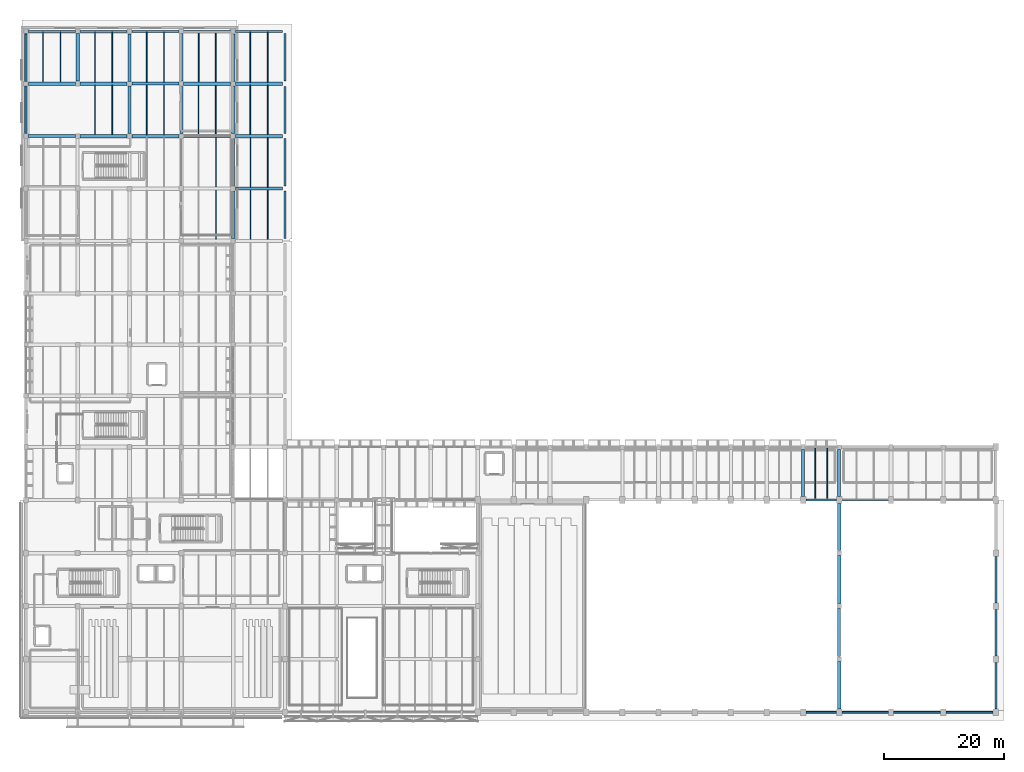
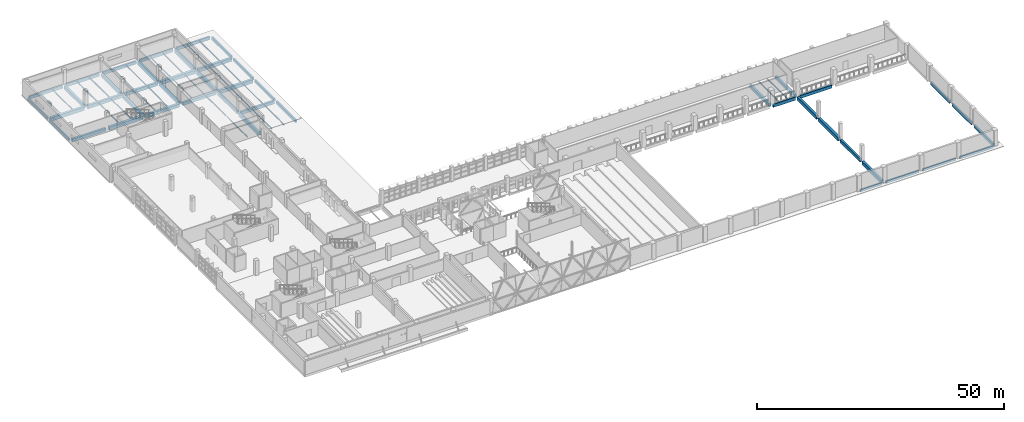
# One storey, part 46 of 80: 72 beams.
"""IFC4 building model written with IfcOpenShell, lengths in metres."""

from ifc_helpers import new_model, si_unit, direction, frame, origin, origin_2d, place, context, subcontext, project, spatial, rectangle, i_section, extrude, material, material_profile, profile_set, type_object, element, save


model = new_model("IFC4")

# Units and contexts
model_context = context("Model", 3, precision=1e-05, world=origin(), true_north=direction((0.0, 1.0)))
body_context = subcontext(model_context, "Body", "Model", "MODEL_VIEW")
ifc_project = project(units=[si_unit("LENGTHUNIT", "METRE"), si_unit("AREAUNIT", "SQUARE_METRE"), si_unit("VOLUMEUNIT", "CUBIC_METRE"), si_unit("PLANEANGLEUNIT", "RADIAN"), si_unit("MASSUNIT", "GRAM", prefix="KILO")], contexts=[model_context])

# Site, building, storey
site_placement = place(None, origin())
site = spatial("IfcSite", under=ifc_project, at=site_placement, CompositionType="ELEMENT")
building_placement = place(site_placement, origin())
building = spatial("IfcBuilding", under=site, at=building_placement, Name="Varnakota Cinema and Media Centre", CompositionType="ELEMENT")
storey_placement = place(building_placement, frame((0.0, 0.0, 4.5)))
storey = spatial("IfcBuildingStorey", under=building, at=storey_placement, Name="L01", CompositionType="ELEMENT", Elevation=4.5)

# Beams
ifc_material_1 = material(Name="Concrete M35", Category="concrete")
ifc_material_profile_1 = material_profile(ifc_material_1, rectangle(XDim=0.5, YDim=0.75, at=origin_2d()), Name="RCB 500x750")
ifc_profile_set_1 = profile_set([ifc_material_profile_1], Name="Concrete M35")
beam_type_1 = type_object("IfcBeamType", Name="BM-RC-500x750", PredefinedType="BEAM", material=ifc_profile_set_1)
for number, where, z_axis, x_axis, name in (
    (1, (34.800048828125, 86.89990234375, -0.625), (1.0, 0.0, 0.0), (0.0, 1.0, 0.0), "L01 girder E-F/11"),
    (2, (0.375, 95.60009765625, -0.625), (1.0, 0.0, 0.0), (0.0, 1.0, 0.0), "L01 girder A-B/12"),
    (3, (26.199951171875, 95.60009765625, -0.625), (1.0, 0.0, 0.0), (0.0, 1.0, 0.0), "L01 girder D-E/12"),
    (4, (17.60009765625, 104.300048828125, -0.625), (1.0, 0.0, 0.0), (0.0, 1.0, 0.0), "L01 girder C-D/13"),
):
    element("IfcBeam", number, at=place(storey_placement, frame(where, z_axis=z_axis, x_axis=x_axis)), inside=storey, type_object=beam_type_1, Name=name, PredefinedType="BEAM", context=body_context, shape_type="SweptSolid", body=[
        extrude(rectangle(XDim=0.5, YDim=0.75, at=origin_2d()), origin(), (0.0, 0.0, 1.0), 7.824951171875),
    ])
for number, where, z_axis, x_axis, name in (
    (5, (17.199951171875, 104.699951171875, -0.625), (0.0, 1.0, 0.0), (-1.0, 0.0, 0.0), "L01 girder C/13-14"),
    (6, (25.800048828125, 96.0, -0.625), (0.0, 1.0, 0.0), (-1.0, 0.0, 0.0), "L01 girder D/12-13"),
    (7, (34.39990234375, 87.300048828125, -0.625), (0.0, 1.0, 0.0), (-1.0, 0.0, 0.0), "L01 girder E/11-12"),
):
    element("IfcBeam", number, at=place(storey_placement, frame(where, z_axis=z_axis, x_axis=x_axis)), inside=storey, type_object=beam_type_1, Name=name, PredefinedType="BEAM", context=body_context, shape_type="SweptSolid", body=[
        extrude(rectangle(XDim=0.5, YDim=0.75, at=origin_2d()), origin(), (0.0, 0.0, 1.0), 7.875),
    ])
beam_1_placement = place(storey_placement, frame((135.0, 9.199951171875, -0.375), z_axis=(0.0, 1.0, 0.0), x_axis=(-1.0, 0.0, 0.0)))
element("IfcBeam", 8, at=beam_1_placement, inside=storey, type_object=beam_type_1, Name="L01 girder V/2-3", PredefinedType="BEAM", context=body_context, shape_type="SweptSolid", body=[
    extrude(rectangle(XDim=0.5, YDim=0.75, at=origin_2d()), origin(), (0.0, 0.0, 1.0), 7.97509765625),
])
beam_2_placement = place(storey_placement, frame((135.0, 35.75, -0.625), z_axis=(0.0, 1.0, 0.0), x_axis=(-1.0, 0.0, 0.0)))
element("IfcBeam", 9, at=beam_2_placement, inside=storey, type_object=beam_type_1, Name="L01 girder V/5-6", PredefinedType="BEAM", context=body_context, shape_type="SweptSolid", body=[
    extrude(rectangle(XDim=0.5, YDim=0.75, at=origin_2d()), origin(), (0.0, 0.0, 1.0), 7.85009765625),
])
ifc_material_2 = material(Name="Concrete M35", Category="concrete")
ifc_material_profile_2 = material_profile(ifc_material_2, rectangle(XDim=0.550048828125, YDim=0.800048828125, at=origin_2d()), Name="RCB 550x800")
ifc_profile_set_2 = profile_set([ifc_material_profile_2], Name="Concrete M35")
beam_type_2 = type_object("IfcBeamType", Name="BM-RC-550x800", PredefinedType="BEAM", material=ifc_profile_set_2)
for number, where, z_axis, x_axis, name in (
    (10, (17.574951171875, 95.60009765625, -0.64990234375), (1.0, 0.0, 0.0), (0.0, 1.0, 0.0), "L01 girder C-D/12"),
    (11, (8.97509765625, 104.300048828125, -0.64990234375), (1.0, 0.0, 0.0), (0.0, 1.0, 0.0), "L01 girder B-C/13"),
    (12, (34.800048828125, 104.300048828125, -0.64990234375), (1.0, 0.0, 0.0), (0.0, 1.0, 0.0), "L01 girder E-F/13"),
):
    element("IfcBeam", number, at=place(storey_placement, frame(where, z_axis=z_axis, x_axis=x_axis)), inside=storey, type_object=beam_type_2, Name=name, PredefinedType="BEAM", context=body_context, shape_type="SweptSolid", body=[
        extrude(rectangle(XDim=0.550048828125, YDim=0.800048828125, at=origin_2d()), origin(), (0.0, 0.0, 1.0), 7.824951171875),
    ])
for number, where, z_axis, x_axis, name in (
    (13, (8.60009765625, 104.72509765625, -0.64990234375), (0.0, 1.0, 0.0), (-1.0, 0.0, 0.0), "L01 girder B/13-14"),
    (14, (17.199951171875, 96.02490234375, -0.64990234375), (0.0, 1.0, 0.0), (-1.0, 0.0, 0.0), "L01 girder C/12-13"),
    (15, (34.39990234375, 78.625, -0.64990234375), (0.0, 1.0, 0.0), (-1.0, 0.0, 0.0), "L01 girder E/10-11"),
    (16, (34.39990234375, 104.699951171875, -0.64990234375), (0.0, 1.0, 0.0), (-1.0, 0.0, 0.0), "L01 girder E/13-14"),
):
    element("IfcBeam", number, at=place(storey_placement, frame(where, z_axis=z_axis, x_axis=x_axis)), inside=storey, type_object=beam_type_2, Name=name, PredefinedType="BEAM", context=body_context, shape_type="SweptSolid", body=[
        extrude(rectangle(XDim=0.550048828125, YDim=0.800048828125, at=origin_2d()), origin(), (0.0, 0.0, 1.0), 7.875),
    ])
beam_3_placement = place(storey_placement, frame((129.0, 35.75, -0.64990234375), z_axis=(0.0, 1.0, 0.0), x_axis=(-1.0, 0.0, 0.0)))
element("IfcBeam", 17, at=beam_3_placement, inside=storey, type_object=beam_type_2, Name="L01 girder U/5-6", PredefinedType="BEAM", context=body_context, shape_type="SweptSolid", body=[
    extrude(rectangle(XDim=0.550048828125, YDim=0.800048828125, at=origin_2d()), origin(), (0.0, 0.0, 1.0), 7.824951171875),
])
for number, where, z_axis, x_axis, name in (
    (18, (135.0, 0.550048828125, -0.39990234375), (0.0, 1.0, 0.0), (-1.0, 0.0, 0.0), "L01 girder V/1-2"),
    (19, (135.0, 26.800048828125, -0.39990234375), (0.0, 1.0, 0.0), (-1.0, 0.0, 0.0), "L01 girder V/4-5"),
):
    element("IfcBeam", number, at=place(storey_placement, frame(where, z_axis=z_axis, x_axis=x_axis)), inside=storey, type_object=beam_type_2, Name=name, PredefinedType="BEAM", context=body_context, shape_type="SweptSolid", body=[
        extrude(rectangle(XDim=0.550048828125, YDim=0.800048828125, at=origin_2d()), origin(), (0.0, 0.0, 1.0), 7.849853515625),
    ])
ifc_material_3 = material(Name="Concrete M35", Category="concrete")
ifc_material_profile_3 = material_profile(ifc_material_3, rectangle(XDim=0.60009765625, YDim=0.85009765625, at=origin_2d()), Name="RCB 600x850")
ifc_profile_set_3 = profile_set([ifc_material_profile_3], Name="Concrete M35")
beam_type_3 = type_object("IfcBeamType", Name="BM-RC-600x850", PredefinedType="BEAM", material=ifc_profile_set_3)
beam_4_placement = place(storey_placement, frame((9.0, 95.60009765625, -0.675048828125), z_axis=(1.0, 0.0, 0.0), x_axis=(0.0, 1.0, 0.0)))
element("IfcBeam", 20, at=beam_4_placement, inside=storey, type_object=beam_type_3, Name="L01 girder B-C/12", PredefinedType="BEAM", context=body_context, shape_type="SweptSolid", body=[
    extrude(rectangle(XDim=0.60009765625, YDim=0.85009765625, at=origin_2d()), origin(), (0.0, 0.0, 1.0), 7.824951171875),
])
for number, where, z_axis, x_axis, name in (
    (21, (34.77490234375, 95.60009765625, -0.675048828125), (1.0, 0.0, 0.0), (0.0, 1.0, 0.0), "L01 girder E-F/12"),
    (22, (0.39990234375, 104.300048828125, -0.675048828125), (1.0, 0.0, 0.0), (0.0, 1.0, 0.0), "L01 girder A-B/13"),
):
    element("IfcBeam", number, at=place(storey_placement, frame(where, z_axis=z_axis, x_axis=x_axis)), inside=storey, type_object=beam_type_3, Name=name, PredefinedType="BEAM", context=body_context, shape_type="SweptSolid", body=[
        extrude(rectangle(XDim=0.60009765625, YDim=0.85009765625, at=origin_2d()), origin(), (0.0, 0.0, 1.0), 7.8251953125),
    ])
beam_5_placement = place(storey_placement, frame((26.175048828125, 104.300048828125, -0.675048828125), z_axis=(1.0, 0.0, 0.0), x_axis=(0.0, 1.0, 0.0)))
element("IfcBeam", 23, at=beam_5_placement, inside=storey, type_object=beam_type_3, Name="L01 girder D-E/13", PredefinedType="BEAM", context=body_context, shape_type="SweptSolid", body=[
    extrude(rectangle(XDim=0.60009765625, YDim=0.85009765625, at=origin_2d()), origin(), (0.0, 0.0, 1.0), 7.824951171875),
])
for number, where, z_axis, x_axis, name in (
    (24, (25.800048828125, 104.72509765625, -0.675048828125), (0.0, 1.0, 0.0), (-1.0, 0.0, 0.0), "L01 girder D/13-14"),
    (25, (34.39990234375, 96.02490234375, -0.675048828125), (0.0, 1.0, 0.0), (-1.0, 0.0, 0.0), "L01 girder E/12-13"),
):
    element("IfcBeam", number, at=place(storey_placement, frame(where, z_axis=z_axis, x_axis=x_axis)), inside=storey, type_object=beam_type_3, Name=name, PredefinedType="BEAM", context=body_context, shape_type="SweptSolid", body=[
        extrude(rectangle(XDim=0.60009765625, YDim=0.85009765625, at=origin_2d()), origin(), (0.0, 0.0, 1.0), 7.875),
    ])
beam_6_placement = place(storey_placement, frame((135.0, 18.02490234375, -0.425048828125), z_axis=(0.0, 1.0, 0.0), x_axis=(-1.0, 0.0, 0.0)))
element("IfcBeam", 26, at=beam_6_placement, inside=storey, type_object=beam_type_3, Name="L01 girder V/3-4", PredefinedType="BEAM", context=body_context, shape_type="SweptSolid", body=[
    extrude(rectangle(XDim=0.60009765625, YDim=0.85009765625, at=origin_2d()), origin(), (0.0, 0.0, 1.0), 7.97509765625),
])
ifc_material_4 = material(Name="Concrete M35", Category="concrete")
ifc_material_profile_4 = material_profile(ifc_material_4, rectangle(XDim=0.300048828125, YDim=0.60009765625, at=origin_2d()), Name="RCB 300x600")
ifc_profile_set_4 = profile_set([ifc_material_profile_4], Name="Concrete M35")
beam_type_4 = type_object("IfcBeamType", Name="BM-SP-300x600", PredefinedType="SPANDREL", material=ifc_profile_set_4)
beam_7_placement = place(storey_placement, frame((129.449951171875, 0.0, -0.300048828125), z_axis=(1.0, 0.0, 0.0), x_axis=(0.0, 1.0, 0.0)))
element("IfcBeam", 27, at=beam_7_placement, inside=storey, type_object=beam_type_4, Name="L01 girder U-V/1", PredefinedType="SPANDREL", context=body_context, shape_type="SweptSolid", body=[
    extrude(rectangle(XDim=0.300048828125, YDim=0.60009765625, at=origin_2d()), origin(), (0.0, 0.0, 1.0), 5.10009765625),
])
beam_8_placement = place(storey_placement, frame((135.449951171875, 0.0, -0.300048828125), z_axis=(1.0, 0.0, 0.0), x_axis=(0.0, 1.0, 0.0)))
element("IfcBeam", 28, at=beam_8_placement, inside=storey, type_object=beam_type_4, Name="L01 girder V-W/1", PredefinedType="SPANDREL", context=body_context, shape_type="SweptSolid", body=[
    extrude(rectangle(XDim=0.300048828125, YDim=0.60009765625, at=origin_2d()), origin(), (0.0, 0.0, 1.0), 7.699951171875),
])
for number, where, z_axis, x_axis, name in (
    (29, (144.050048828125, 0.0, -0.300048828125), (1.0, 0.0, 0.0), (0.0, 1.0, 0.0), "L01 girder W-X/1"),
    (30, (152.75, 0.0, -0.300048828125), (1.0, 0.0, 0.0), (0.0, 1.0, 0.0), "L01 girder X-Y/1"),
):
    element("IfcBeam", number, at=place(storey_placement, frame(where, z_axis=z_axis, x_axis=x_axis)), inside=storey, type_object=beam_type_4, Name=name, PredefinedType="SPANDREL", context=body_context, shape_type="SweptSolid", body=[
        extrude(rectangle(XDim=0.300048828125, YDim=0.60009765625, at=origin_2d()), origin(), (0.0, 0.0, 1.0), 7.800048828125),
    ])
for number, where, z_axis, x_axis, name in (
    (31, (0.0, 96.02490234375, -0.550048828125), (0.0, 1.0, 0.0), (-1.0, 0.0, 0.0), "L01 girder A/12-13"),
    (32, (0.0, 104.699951171875, -0.550048828125), (0.0, 1.0, 0.0), (-1.0, 0.0, 0.0), "L01 girder A/13-14"),
):
    element("IfcBeam", number, at=place(storey_placement, frame(where, z_axis=z_axis, x_axis=x_axis)), inside=storey, type_object=beam_type_4, Name=name, PredefinedType="SPANDREL", context=body_context, shape_type="SweptSolid", body=[
        extrude(rectangle(XDim=0.300048828125, YDim=0.60009765625, at=origin_2d()), origin(), (0.0, 0.0, 1.0), 7.875),
    ])
ifc_material_5 = material(Name="Concrete M40", Category="concrete")
ifc_material_profile_5 = material_profile(ifc_material_5, rectangle(XDim=0.35009765625, YDim=0.64990234375, at=origin_2d()), Name="RCB 350x650")
ifc_profile_set_5 = profile_set([ifc_material_profile_5], Name="Concrete M40")
beam_type_5 = type_object("IfcBeamType", Name="BM-SP-350x650", PredefinedType="SPANDREL", material=ifc_profile_set_5)
for number, where, z_axis, x_axis, name in (
    (33, (43.0, 78.60009765625, -0.574951171875), (0.0, 1.0, 0.0), (-1.0, 0.0, 0.0), "L01 girder F/10-11"),
    (34, (43.0, 87.324951171875, -0.574951171875), (0.0, 1.0, 0.0), (-1.0, 0.0, 0.0), "L01 girder F/11-12"),
    (35, (43.0, 96.0, -0.574951171875), (0.0, 1.0, 0.0), (-1.0, 0.0, 0.0), "L01 girder F/12-13"),
    (36, (43.0, 104.72509765625, -0.574951171875), (0.0, 1.0, 0.0), (-1.0, 0.0, 0.0), "L01 girder F/13-14"),
):
    element("IfcBeam", number, at=place(storey_placement, frame(where, z_axis=z_axis, x_axis=x_axis)), inside=storey, type_object=beam_type_5, Name=name, PredefinedType="SPANDREL", context=body_context, shape_type="SweptSolid", body=[
        extrude(rectangle(XDim=0.35009765625, YDim=0.64990234375, at=origin_2d()), origin(), (0.0, 0.0, 1.0), 7.875),
    ])
ifc_material_6 = material(Name="Concrete M40", Category="concrete")
ifc_material_profile_6 = material_profile(ifc_material_6, rectangle(XDim=0.35009765625, YDim=0.75, at=origin_2d()), Name="RCB 350x750")
ifc_profile_set_6 = profile_set([ifc_material_profile_6], Name="Concrete M40")
beam_type_6 = type_object("IfcBeamType", Name="BM-SP-350x750", PredefinedType="SPANDREL", material=ifc_profile_set_6)
beam_9_placement = place(storey_placement, frame((129.449951171875, 35.199951171875, -0.625), z_axis=(1.0, 0.0, 0.0), x_axis=(0.0, 1.0, 0.0)))
element("IfcBeam", 37, at=beam_9_placement, inside=storey, type_object=beam_type_6, Name="L01 girder U-V/5", PredefinedType="SPANDREL", context=body_context, shape_type="SweptSolid", body=[
    extrude(rectangle(XDim=0.35009765625, YDim=0.75, at=origin_2d()), origin(), (0.0, 0.0, 1.0), 5.10009765625),
])
beam_10_placement = place(storey_placement, frame((135.449951171875, 35.199951171875, -0.625), z_axis=(1.0, 0.0, 0.0), x_axis=(0.0, 1.0, 0.0)))
element("IfcBeam", 38, at=beam_10_placement, inside=storey, type_object=beam_type_6, Name="L01 girder V-W/5", PredefinedType="SPANDREL", context=body_context, shape_type="SweptSolid", body=[
    extrude(rectangle(XDim=0.35009765625, YDim=0.75, at=origin_2d()), origin(), (0.0, 0.0, 1.0), 7.699951171875),
])
for number, where, z_axis, x_axis, name in (
    (39, (0.375, 113.0, -0.625), (1.0, 0.0, 0.0), (0.0, 1.0, 0.0), "L01 girder A-B/14"),
    (40, (9.0, 113.0, -0.625), (1.0, 0.0, 0.0), (0.0, 1.0, 0.0), "L01 girder B-C/14"),
    (41, (17.574951171875, 113.0, -0.625), (1.0, 0.0, 0.0), (0.0, 1.0, 0.0), "L01 girder C-D/14"),
    (42, (26.199951171875, 113.0, -0.625), (1.0, 0.0, 0.0), (0.0, 1.0, 0.0), "L01 girder D-E/14"),
):
    element("IfcBeam", number, at=place(storey_placement, frame(where, z_axis=z_axis, x_axis=x_axis)), inside=storey, type_object=beam_type_6, Name=name, PredefinedType="SPANDREL", context=body_context, shape_type="SweptSolid", body=[
        extrude(rectangle(XDim=0.35009765625, YDim=0.75, at=origin_2d()), origin(), (0.0, 0.0, 1.0), 7.824951171875),
    ])
beam_11_placement = place(storey_placement, frame((34.77490234375, 113.0, -0.625), z_axis=(1.0, 0.0, 0.0), x_axis=(0.0, 1.0, 0.0)))
element("IfcBeam", 43, at=beam_11_placement, inside=storey, type_object=beam_type_6, Name="L01 girder E-F/14", PredefinedType="SPANDREL", context=body_context, shape_type="SweptSolid", body=[
    extrude(rectangle(XDim=0.35009765625, YDim=0.75, at=origin_2d()), origin(), (0.0, 0.0, 1.0), 7.8251953125),
])
for number, where, z_axis, x_axis, name in (
    (44, (161.0, 0.550048828125, -0.375), (0.0, 1.0, 0.0), (-1.0, 0.0, 0.0), "L01 girder Y/1-2"),
    (45, (161.0, 9.35009765625, -0.375), (0.0, 1.0, 0.0), (-1.0, 0.0, 0.0), "L01 girder Y/2-3"),
):
    element("IfcBeam", number, at=place(storey_placement, frame(where, z_axis=z_axis, x_axis=x_axis)), inside=storey, type_object=beam_type_6, Name=name, PredefinedType="SPANDREL", context=body_context, shape_type="SweptSolid", body=[
        extrude(rectangle(XDim=0.35009765625, YDim=0.75, at=origin_2d()), origin(), (0.0, 0.0, 1.0), 7.699951171875),
    ])
beam_12_placement = place(storey_placement, frame((161.0, 18.14990234375, -0.375), z_axis=(0.0, 1.0, 0.0), x_axis=(-1.0, 0.0, 0.0)))
element("IfcBeam", 46, at=beam_12_placement, inside=storey, type_object=beam_type_6, Name="L01 girder Y/3-4", PredefinedType="SPANDREL", context=body_context, shape_type="SweptSolid", body=[
    extrude(rectangle(XDim=0.35009765625, YDim=0.75, at=origin_2d()), origin(), (0.0, 0.0, 1.0), 7.7001953125),
])
ifc_material_7 = material(Name="Structural steel Grade 350 (E350)", Category="steel")
ifc_material_profile_7 = material_profile(ifc_material_7, i_section(OverallWidth=0.10009765625, OverallDepth=0.199951171875, WebThickness=0.005615234375, FlangeThickness=0.0107421875, FilletRadius=0.010986328125, at=origin_2d()), Name="ISMB 200")
ifc_profile_set_7 = profile_set([ifc_material_profile_7], Name="Structural steel Grade 350 (E350)")
beam_type_7 = type_object("IfcBeamType", Name="BM-ST-ISMB200", PredefinedType="JOIST", material=ifc_profile_set_7)
for number, where, z_axis, x_axis, name in (
    (47, (2.86669921875, 104.60009765625, -0.35009765625), (0.0, 1.0, 0.0), (-1.0, 0.0, 0.0), "L01 steel joist A-B/13-14 #1"),
    (48, (5.7333984375, 104.60009765625, -0.35009765625), (0.0, 1.0, 0.0), (-1.0, 0.0, 0.0), "L01 steel joist A-B/13-14 #2"),
):
    element("IfcBeam", number, at=place(storey_placement, frame(where, z_axis=z_axis, x_axis=x_axis)), inside=storey, type_object=beam_type_7, Name=name, PredefinedType="JOIST", context=body_context, shape_type="SweptSolid", body=[
        extrude(i_section(OverallWidth=0.10009765625, OverallDepth=0.199951171875, WebThickness=0.005615234375, FlangeThickness=0.0107421875, FilletRadius=0.010986328125, at=origin_2d()), origin(), (0.0, 0.0, 1.0), 8.224853515625),
    ])
for number, where, z_axis, x_axis, name in (
    (49, (11.466796875, 95.89990234375, -0.35009765625), (0.0, 1.0, 0.0), (-1.0, 0.0, 0.0), "L01 steel joist B-C/12-13 #1"),
    (50, (14.333251953125, 95.89990234375, -0.35009765625), (0.0, 1.0, 0.0), (-1.0, 0.0, 0.0), "L01 steel joist B-C/12-13 #2"),
    (51, (31.533203125, 78.5, -0.35009765625), (0.0, 1.0, 0.0), (-1.0, 0.0, 0.0), "L01 steel joist D-E/10-11 #2"),
):
    element("IfcBeam", number, at=place(storey_placement, frame(where, z_axis=z_axis, x_axis=x_axis)), inside=storey, type_object=beam_type_7, Name=name, PredefinedType="JOIST", context=body_context, shape_type="SweptSolid", body=[
        extrude(i_section(OverallWidth=0.10009765625, OverallDepth=0.199951171875, WebThickness=0.005615234375, FlangeThickness=0.0107421875, FilletRadius=0.010986328125, at=origin_2d()), origin(), (0.0, 0.0, 1.0), 8.125),
    ])
ifc_material_8 = material(Name="Structural steel Grade 350 (E350)", Category="steel")
ifc_material_profile_8 = material_profile(ifc_material_8, i_section(OverallWidth=0.110107421875, OverallDepth=0.22509765625, WebThickness=0.006591796875, FlangeThickness=0.01171875, FilletRadius=0.011962890625, at=origin_2d()), Name="ISMB 225")
ifc_profile_set_8 = profile_set([ifc_material_profile_8], Name="Structural steel Grade 350 (E350)")
beam_type_8 = type_object("IfcBeamType", Name="BM-ST-ISMB225", PredefinedType="JOIST", material=ifc_profile_set_8)
for number, where, z_axis, x_axis, name in (
    (52, (11.466796875, 104.574951171875, -0.362548828125), (0.0, 1.0, 0.0), (-1.0, 0.0, 0.0), "L01 steel joist B-C/13-14 #1"),
    (53, (14.333251953125, 104.574951171875, -0.362548828125), (0.0, 1.0, 0.0), (-1.0, 0.0, 0.0), "L01 steel joist B-C/13-14 #2"),
):
    element("IfcBeam", number, at=place(storey_placement, frame(where, z_axis=z_axis, x_axis=x_axis)), inside=storey, type_object=beam_type_8, Name=name, PredefinedType="JOIST", context=body_context, shape_type="SweptSolid", body=[
        extrude(i_section(OverallWidth=0.110107421875, OverallDepth=0.22509765625, WebThickness=0.006591796875, FlangeThickness=0.01171875, FilletRadius=0.011962890625, at=origin_2d()), origin(), (0.0, 0.0, 1.0), 8.25),
    ])
for number, where, z_axis, x_axis, name in (
    (54, (20.066650390625, 95.875, -0.362548828125), (0.0, 1.0, 0.0), (-1.0, 0.0, 0.0), "L01 steel joist C-D/12-13 #1"),
    (55, (22.933349609375, 95.875, -0.362548828125), (0.0, 1.0, 0.0), (-1.0, 0.0, 0.0), "L01 steel joist C-D/12-13 #2"),
    (56, (31.533203125, 87.175048828125, -0.362548828125), (0.0, 1.0, 0.0), (-1.0, 0.0, 0.0), "L01 steel joist D-E/11-12 #2"),
):
    element("IfcBeam", number, at=place(storey_placement, frame(where, z_axis=z_axis, x_axis=x_axis)), inside=storey, type_object=beam_type_8, Name=name, PredefinedType="JOIST", context=body_context, shape_type="SweptSolid", body=[
        extrude(i_section(OverallWidth=0.110107421875, OverallDepth=0.22509765625, WebThickness=0.006591796875, FlangeThickness=0.01171875, FilletRadius=0.011962890625, at=origin_2d()), origin(), (0.0, 0.0, 1.0), 8.175048828125),
    ])
for number, where, z_axis, x_axis, name in (
    (57, (37.2666015625, 78.47509765625, -0.362548828125), (0.0, 1.0, 0.0), (-1.0, 0.0, 0.0), "L01 steel joist E-F/10-11 #1"),
    (58, (40.13330078125, 78.47509765625, -0.362548828125), (0.0, 1.0, 0.0), (-1.0, 0.0, 0.0), "L01 steel joist E-F/10-11 #2"),
):
    element("IfcBeam", number, at=place(storey_placement, frame(where, z_axis=z_axis, x_axis=x_axis)), inside=storey, type_object=beam_type_8, Name=name, PredefinedType="JOIST", context=body_context, shape_type="SweptSolid", body=[
        extrude(i_section(OverallWidth=0.110107421875, OverallDepth=0.22509765625, WebThickness=0.006591796875, FlangeThickness=0.01171875, FilletRadius=0.011962890625, at=origin_2d()), origin(), (0.0, 0.0, 1.0), 8.1748046875),
    ])
ifc_material_9 = material(Name="Structural steel Grade 350 (E350)", Category="steel")
ifc_material_profile_9 = material_profile(ifc_material_9, i_section(OverallWidth=0.125, OverallDepth=0.25, WebThickness=0.0068359375, FlangeThickness=0.012451171875, FilletRadius=0.012939453125, at=origin_2d()), Name="ISMB 250")
ifc_profile_set_9 = profile_set([ifc_material_profile_9], Name="Structural steel Grade 350 (E350)")
beam_type_9 = type_object("IfcBeamType", Name="BM-ST-ISMB250", PredefinedType="JOIST", material=ifc_profile_set_9)
for number, where, z_axis, x_axis, name in (
    (59, (20.066650390625, 104.550048828125, -0.375), (0.0, 1.0, 0.0), (-1.0, 0.0, 0.0), "L01 steel joist C-D/13-14 #1"),
    (60, (22.933349609375, 104.550048828125, -0.375), (0.0, 1.0, 0.0), (-1.0, 0.0, 0.0), "L01 steel joist C-D/13-14 #2"),
):
    element("IfcBeam", number, at=place(storey_placement, frame(where, z_axis=z_axis, x_axis=x_axis)), inside=storey, type_object=beam_type_9, Name=name, PredefinedType="JOIST", context=body_context, shape_type="SweptSolid", body=[
        extrude(i_section(OverallWidth=0.125, OverallDepth=0.25, WebThickness=0.0068359375, FlangeThickness=0.012451171875, FilletRadius=0.012939453125, at=origin_2d()), origin(), (0.0, 0.0, 1.0), 8.27490234375),
    ])
for number, where, z_axis, x_axis, name in (
    (61, (28.666748046875, 95.85009765625, -0.375), (0.0, 1.0, 0.0), (-1.0, 0.0, 0.0), "L01 steel joist D-E/12-13 #1"),
    (62, (31.533203125, 95.85009765625, -0.375), (0.0, 1.0, 0.0), (-1.0, 0.0, 0.0), "L01 steel joist D-E/12-13 #2"),
):
    element("IfcBeam", number, at=place(storey_placement, frame(where, z_axis=z_axis, x_axis=x_axis)), inside=storey, type_object=beam_type_9, Name=name, PredefinedType="JOIST", context=body_context, shape_type="SweptSolid", body=[
        extrude(i_section(OverallWidth=0.125, OverallDepth=0.25, WebThickness=0.0068359375, FlangeThickness=0.012451171875, FilletRadius=0.012939453125, at=origin_2d()), origin(), (0.0, 0.0, 1.0), 8.14990234375),
    ])
for number, where, z_axis, x_axis, name in (
    (63, (37.2666015625, 87.14990234375, -0.375), (0.0, 1.0, 0.0), (-1.0, 0.0, 0.0), "L01 steel joist E-F/11-12 #1"),
    (64, (40.13330078125, 87.14990234375, -0.375), (0.0, 1.0, 0.0), (-1.0, 0.0, 0.0), "L01 steel joist E-F/11-12 #2"),
):
    element("IfcBeam", number, at=place(storey_placement, frame(where, z_axis=z_axis, x_axis=x_axis)), inside=storey, type_object=beam_type_9, Name=name, PredefinedType="JOIST", context=body_context, shape_type="SweptSolid", body=[
        extrude(i_section(OverallWidth=0.125, OverallDepth=0.25, WebThickness=0.0068359375, FlangeThickness=0.012451171875, FilletRadius=0.012939453125, at=origin_2d()), origin(), (0.0, 0.0, 1.0), 8.150146484375),
    ])
ifc_material_10 = material(Name="Structural steel Grade 350 (E350)", Category="steel")
ifc_material_profile_10 = material_profile(ifc_material_10, i_section(OverallWidth=0.139892578125, OverallDepth=0.300048828125, WebThickness=0.0078125, FlangeThickness=0.01318359375, FilletRadius=0.013916015625, at=origin_2d()), Name="ISMB 300")
ifc_profile_set_10 = profile_set([ifc_material_profile_10], Name="Structural steel Grade 350 (E350)")
beam_type_10 = type_object("IfcBeamType", Name="BM-ST-ISMB300", PredefinedType="JOIST", material=ifc_profile_set_10)
for number, where, z_axis, x_axis, name in (
    (65, (28.666748046875, 104.60009765625, -0.39990234375), (0.0, 1.0, 0.0), (-1.0, 0.0, 0.0), "L01 steel joist D-E/13-14 #1"),
    (66, (31.533203125, 104.60009765625, -0.39990234375), (0.0, 1.0, 0.0), (-1.0, 0.0, 0.0), "L01 steel joist D-E/13-14 #2"),
):
    element("IfcBeam", number, at=place(storey_placement, frame(where, z_axis=z_axis, x_axis=x_axis)), inside=storey, type_object=beam_type_10, Name=name, PredefinedType="JOIST", context=body_context, shape_type="SweptSolid", body=[
        extrude(i_section(OverallWidth=0.139892578125, OverallDepth=0.300048828125, WebThickness=0.0078125, FlangeThickness=0.01318359375, FilletRadius=0.013916015625, at=origin_2d()), origin(), (0.0, 0.0, 1.0), 8.224853515625),
    ])
for number, where, z_axis, x_axis, name in (
    (67, (37.2666015625, 95.89990234375, -0.39990234375), (0.0, 1.0, 0.0), (-1.0, 0.0, 0.0), "L01 steel joist E-F/12-13 #1"),
    (68, (40.13330078125, 95.89990234375, -0.39990234375), (0.0, 1.0, 0.0), (-1.0, 0.0, 0.0), "L01 steel joist E-F/12-13 #2"),
):
    element("IfcBeam", number, at=place(storey_placement, frame(where, z_axis=z_axis, x_axis=x_axis)), inside=storey, type_object=beam_type_10, Name=name, PredefinedType="JOIST", context=body_context, shape_type="SweptSolid", body=[
        extrude(i_section(OverallWidth=0.139892578125, OverallDepth=0.300048828125, WebThickness=0.0078125, FlangeThickness=0.01318359375, FilletRadius=0.013916015625, at=origin_2d()), origin(), (0.0, 0.0, 1.0), 8.125),
    ])
for number, where, z_axis, x_axis, name in (
    (69, (131.0, 35.375, -0.39990234375), (0.0, 1.0, 0.0), (-1.0, 0.0, 0.0), "L01 steel joist U-V/5-6 #1"),
    (70, (133.0, 35.375, -0.39990234375), (0.0, 1.0, 0.0), (-1.0, 0.0, 0.0), "L01 steel joist U-V/5-6 #2"),
):
    element("IfcBeam", number, at=place(storey_placement, frame(where, z_axis=z_axis, x_axis=x_axis)), inside=storey, type_object=beam_type_10, Name=name, PredefinedType="JOIST", context=body_context, shape_type="SweptSolid", body=[
        extrude(i_section(OverallWidth=0.139892578125, OverallDepth=0.300048828125, WebThickness=0.0078125, FlangeThickness=0.01318359375, FilletRadius=0.013916015625, at=origin_2d()), origin(), (0.0, 0.0, 1.0), 8.449951171875),
    ])
ifc_material_11 = material(Name="Structural steel Grade 350 (E350)", Category="steel")
ifc_material_profile_11 = material_profile(ifc_material_11, i_section(OverallWidth=0.139892578125, OverallDepth=0.35009765625, WebThickness=0.008056640625, FlangeThickness=0.01416015625, FilletRadius=0.013916015625, at=origin_2d()), Name="ISMB 350")
ifc_profile_set_11 = profile_set([ifc_material_profile_11], Name="Structural steel Grade 350 (E350)")
beam_type_11 = type_object("IfcBeamType", Name="BM-ST-ISMB350", PredefinedType="JOIST", material=ifc_profile_set_11)
for number, where, z_axis, x_axis, name in (
    (71, (37.2666015625, 104.574951171875, -0.425048828125), (0.0, 1.0, 0.0), (-1.0, 0.0, 0.0), "L01 steel joist E-F/13-14 #1"),
    (72, (40.13330078125, 104.574951171875, -0.425048828125), (0.0, 1.0, 0.0), (-1.0, 0.0, 0.0), "L01 steel joist E-F/13-14 #2"),
):
    element("IfcBeam", number, at=place(storey_placement, frame(where, z_axis=z_axis, x_axis=x_axis)), inside=storey, type_object=beam_type_11, Name=name, PredefinedType="JOIST", context=body_context, shape_type="SweptSolid", body=[
        extrude(i_section(OverallWidth=0.139892578125, OverallDepth=0.35009765625, WebThickness=0.008056640625, FlangeThickness=0.01416015625, FilletRadius=0.013916015625, at=origin_2d()), origin(), (0.0, 0.0, 1.0), 8.25),
    ])

save(model, "model.ifc")
